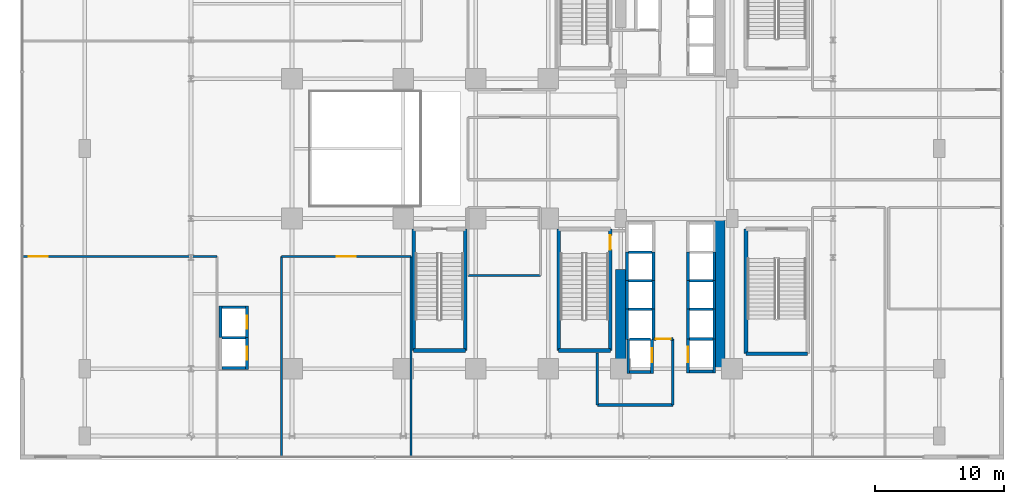
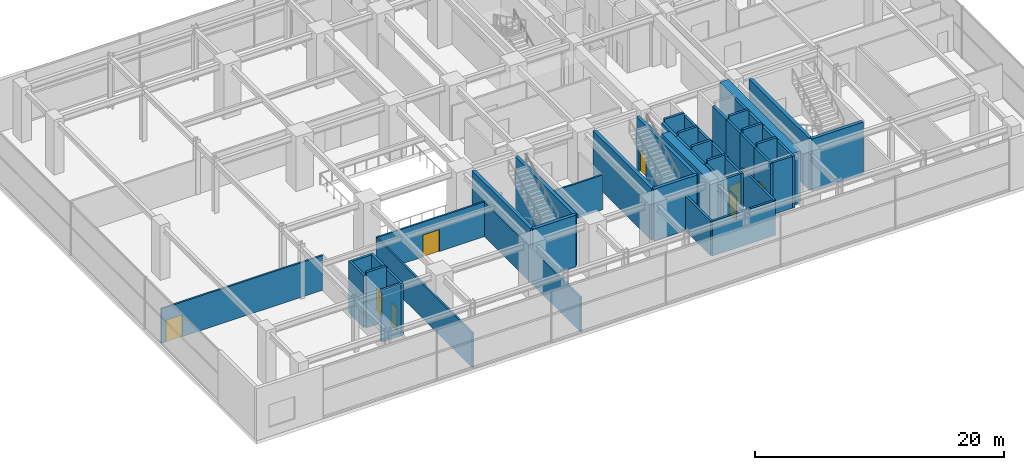
# One storey, part 27 of 32: 50 walls, 8 doors, 8 openings.
"""IFC4 building model written with IfcOpenShell, lengths in metres."""

from ifc_helpers import new_model, si_unit, direction, frame, frame_2d, origin, place, context, subcontext, project, spatial, rectangle, extrude, source, transform, mapped, material, layer, layer_set, type_object, element, fill, save


model = new_model("IFC4")

# Units and contexts
model_context = context("Model", 3, precision=1e-05, world=origin(), true_north=direction((0.0, 1.0)))
body_context = subcontext(model_context, "Body", "Model", "MODEL_VIEW")
ifc_project = project(units=[si_unit("LENGTHUNIT", "METRE"), si_unit("AREAUNIT", "SQUARE_METRE"), si_unit("VOLUMEUNIT", "CUBIC_METRE"), si_unit("PLANEANGLEUNIT", "RADIAN"), si_unit("MASSUNIT", "GRAM", prefix="KILO")], contexts=[model_context])

# Site, building, storey
site_placement = place(None, origin())
site = spatial("IfcSite", under=ifc_project, at=site_placement, CompositionType="ELEMENT")
building_placement = place(site_placement, origin())
building = spatial("IfcBuilding", under=site, at=building_placement, Name="Nahalor Promenade Grand Hotel", CompositionType="ELEMENT")
storey_placement = place(building_placement, frame((0.0, 0.0, 5.39990234375)))
storey = spatial("IfcBuildingStorey", under=building, at=storey_placement, Name="L01", CompositionType="ELEMENT", Elevation=5.39990234375)

# Walls
ifc_material_1 = material(Name="Concrete B-70 (C60/75)", Category="concrete")
ifc_layer_1 = layer(ifc_material_1, 0.800048828125)
ifc_layer_set_1 = layer_set([ifc_layer_1], Name="Concrete B-70 (C60/75)")
wall_type_1 = type_object("IfcWallType", Name="Wall-CoreShear-800", PredefinedType="SHEAR", material=ifc_layer_set_1)
shared_shape_1 = source(origin(), body_context, "Body", "SweptSolid", [
    extrude(rectangle(XDim=7.64990234375, YDim=0.800048828125, at=frame_2d((3.824951171875, 0.0))), origin(), (0.0, 0.0, 1.0), 5.080078125),
])
wall_1_placement = place(storey_placement, frame((8.39990234375, -17.0, 0.0), z_axis=(0.0, 0.0, 1.0), x_axis=(0.0, 1.0, 0.0)))
element("IfcWall", 1, at=wall_1_placement, inside=storey, type_object=wall_type_1, Name="CWALL-L01-SW", PredefinedType="SHEAR", context=body_context, shape_type="MappedRepresentation", body=[
    mapped(shared_shape_1, transform((0.0, 0.0, 0.0), scale=1.0)),
])
shared_shape_2 = source(origin(), body_context, "Body", "SweptSolid", [
    extrude(rectangle(XDim=11.60009765625, YDim=0.800048828125, at=frame_2d((5.800048828125, 0.0))), origin(), (0.0, 0.0, 1.0), 5.080078125),
])
wall_2_placement = place(storey_placement, frame((16.050048828125, -17.0, 0.0), z_axis=(0.0, 0.0, 1.0), x_axis=(0.0, 1.0, 0.0)))
element("IfcWall", 2, at=wall_2_placement, inside=storey, type_object=wall_type_1, Name="CWALL-L01-SE", PredefinedType="SHEAR", context=body_context, shape_type="MappedRepresentation", body=[
    mapped(shared_shape_2, transform((0.0, 0.0, 0.0), scale=1.0)),
])
ifc_material_2 = material(Name="Concrete B-50 (C40/50)", Category="concrete")
ifc_layer_2 = layer(ifc_material_2, 0.300048828125)
ifc_layer_set_2 = layer_set([ifc_layer_2], Name="Concrete B-50 (C40/50)")
wall_type_2 = type_object("IfcWallType", Name="Wall-ShaftShear-300", PredefinedType="SHEAR", material=ifc_layer_set_2)
shared_shape_3 = source(origin(), body_context, "Body", "SweptSolid", [
    extrude(rectangle(XDim=3.97998046875, YDim=0.300048828125, at=frame_2d((1.989990234375, 0.0))), origin(), (0.0, 0.0, 1.0), 5.080078125),
])
for number, where, z_axis, x_axis, name in (
    (3, (3.610107421875, -15.590087890625, 0.0), (0.0, 0.0, 1.0), (1.0, 0.0, 0.0), "L01 Exit Stair ST2 Shaft Wall S"),
    (4, (-7.590087890625, -15.590087890625, 0.0), (0.0, 0.0, 1.0), (1.0, 0.0, 0.0), "L01 Exit Stair ST3 Shaft Wall S"),
):
    element("IfcWall", number, at=place(storey_placement, frame(where, z_axis=z_axis, x_axis=x_axis)), inside=storey, type_object=wall_type_2, Name=name, PredefinedType="SHEAR", context=body_context, shape_type="MappedRepresentation", body=[
        mapped(shared_shape_3, transform((0.0, 0.0, 0.0), scale=1.0)),
    ])
shared_shape_4 = source(origin(), body_context, "Body", "SweptSolid", [
    extrude(rectangle(XDim=9.380126953125, YDim=0.300048828125, at=frame_2d((4.68994140625, 0.0))), origin(), (0.0, 0.0, 1.0), 5.080078125),
])
wall_3_placement = place(storey_placement, frame((3.610107421875, -15.590087890625, 0.0), z_axis=(0.0, 0.0, 1.0), x_axis=(0.0, 1.0, 0.0)))
element("IfcWall", 5, at=wall_3_placement, inside=storey, type_object=wall_type_2, Name="L01 Exit Stair ST2 Shaft Wall W", PredefinedType="SHEAR", context=body_context, shape_type="MappedRepresentation", body=[
    mapped(shared_shape_4, transform((0.0, 0.0, 0.0), scale=1.0)),
])

# Wall, opening, door
wall_4_placement = place(storey_placement, frame((7.590087890625, -15.590087890625, 0.0), z_axis=(0.0, 0.0, 1.0), x_axis=(0.0, 1.0, 0.0)))
wall_4 = element("IfcWall", 6, at=wall_4_placement, inside=storey, type_object=wall_type_2, Name="L01 Exit Stair ST2 Shaft Wall E", PredefinedType="SHEAR", context=body_context, shape_type="MappedRepresentation", body=[
    mapped(shared_shape_4, transform((0.0, 0.0, 0.0), scale=1.0)),
])
opening_1_placement = place(wall_4_placement, frame((7.7900390625, 0.0, 0.0)))
opening_1 = element("IfcOpeningElement", 7, at=opening_1_placement, cuts=wall_4, Name="Opening D-ST1", PredefinedType="OPENING", context=body_context, shape_type="SweptSolid", body=[
    extrude(rectangle(XDim=1.10009765625, YDim=2.14990234375, at=frame_2d((0.550048828125, 1.074951171875))), frame((0.0, 0.159912109375, 0.0), z_axis=(0.0, -1.0, 0.0), x_axis=(1.0, 0.0, 0.0)), (0.0, 0.0, 1.0), 0.320068359375),
])
ifc_material_3 = material(Name="Steel S355JR", Category="steel")
door_type_1 = type_object("IfcDoorType", Name="Door-StairFire-1100", OperationType="NOTDEFINED", PredefinedType="DOOR", material=ifc_material_3)
shared_shape_5 = source(origin(), body_context, "Body", "SweptSolid", [
    extrude(rectangle(XDim=1.10009765625, YDim=2.14990234375, at=frame_2d((0.550048828125, 1.074951171875))), frame((0.0, 0.02490234375, 0.0), z_axis=(0.0, -1.0, 0.0), x_axis=(1.0, 0.0, 0.0)), (0.0, 0.0, 1.0), 0.050048828125),
])
door_1_placement = place(opening_1_placement, origin())
door_1 = element("IfcDoor", 8, at=door_1_placement, inside=storey, type_object=door_type_1, Name="DR-STAIR-ST2-L01", OperationType="SINGLE_SWING_RIGHT", OverallHeight=2.14990234375, OverallWidth=1.10009765625, PredefinedType="DOOR", context=body_context, shape_type="MappedRepresentation", body=[
    mapped(shared_shape_5, transform((0.0, 0.0, 0.0), scale=1.0)),
])
fill(opening_1, door_1)

# Walls
for number, where, z_axis, x_axis, name in (
    (9, (-7.590087890625, -15.590087890625, 0.0), (0.0, 0.0, 1.0), (0.0, 1.0, 0.0), "L01 Exit Stair ST3 Shaft Wall W"),
    (10, (-3.610107421875, -15.590087890625, 0.0), (0.0, 0.0, 1.0), (0.0, 1.0, 0.0), "L01 Exit Stair ST3 Shaft Wall E"),
):
    element("IfcWall", number, at=place(storey_placement, frame(where, z_axis=z_axis, x_axis=x_axis)), inside=storey, type_object=wall_type_2, Name=name, PredefinedType="SHEAR", context=body_context, shape_type="MappedRepresentation", body=[
        mapped(shared_shape_4, transform((0.0, 0.0, 0.0), scale=1.0)),
    ])
shared_shape_6 = source(origin(), body_context, "Body", "SweptSolid", [
    extrude(rectangle(XDim=4.780029296875, YDim=0.300048828125, at=frame_2d((2.39013671875, 0.0))), origin(), (0.0, 0.0, 1.0), 5.080078125),
])
wall_5_placement = place(storey_placement, frame((18.06005859375, -15.840087890625, 0.0), z_axis=(0.0, 0.0, 1.0), x_axis=(1.0, 0.0, 0.0)))
element("IfcWall", 11, at=wall_5_placement, inside=storey, type_object=wall_type_2, Name="L01 Exit Stair ST5 Shaft Wall S", PredefinedType="SHEAR", context=body_context, shape_type="MappedRepresentation", body=[
    mapped(shared_shape_6, transform((0.0, 0.0, 0.0), scale=1.0)),
])
shared_shape_7 = source(origin(), body_context, "Body", "SweptSolid", [
    extrude(rectangle(XDim=9.630126953125, YDim=0.300048828125, at=frame_2d((4.81494140625, 0.0))), origin(), (0.0, 0.0, 1.0), 5.080078125),
])
wall_6_placement = place(storey_placement, frame((18.06005859375, -15.840087890625, 0.0), z_axis=(0.0, 0.0, 1.0), x_axis=(0.0, 1.0, 0.0)))
element("IfcWall", 12, at=wall_6_placement, inside=storey, type_object=wall_type_2, Name="L01 Exit Stair ST5 Shaft Wall W", PredefinedType="SHEAR", context=body_context, shape_type="MappedRepresentation", body=[
    mapped(shared_shape_7, transform((0.0, 0.0, 0.0), scale=1.0)),
])
ifc_layer_3 = layer(ifc_material_2, 0.219970703125)
ifc_layer_set_3 = layer_set([ifc_layer_3], Name="Concrete B-50 (C40/50)")
wall_type_3 = type_object("IfcWallType", Name="Wall-LiftShaft-220", PredefinedType="SHEAR", material=ifc_layer_set_3)
shared_shape_8 = source(origin(), body_context, "Body", "SweptSolid", [
    extrude(rectangle(XDim=1.820068359375, YDim=0.219970703125, at=frame_2d((0.91015625, 0.0))), origin(), (0.0, 0.0, 1.0), 5.080078125),
])
wall_7_placement = place(storey_placement, frame((13.68994140625, -17.199951171875, 0.0), z_axis=(0.0, 0.0, 1.0), x_axis=(1.0, 0.0, 0.0)))
element("IfcWall", 13, at=wall_7_placement, inside=storey, type_object=wall_type_3, Name="L01 Lift SV2 Hoistway Wall S", PredefinedType="SHEAR", context=body_context, shape_type="MappedRepresentation", body=[
    mapped(shared_shape_8, transform((0.0, 0.0, 0.0), scale=1.0)),
])
shared_shape_9 = source(origin(), body_context, "Body", "SweptSolid", [
    extrude(rectangle(XDim=1.820068359375, YDim=0.219970703125, at=frame_2d((0.91015625, 0.0))), origin(), (0.0, 0.0, 1.0), 5.400146484375),
])
for number, where, z_axis, x_axis, name in (
    (14, (13.68994140625, -10.199951171875, 0.0), (0.0, 0.0, 1.0), (1.0, 0.0, 0.0), "L01 Lift PL7 Hoistway Wall N"),
    (15, (13.68994140625, -12.39990234375, 0.0), (0.0, 0.0, 1.0), (1.0, 0.0, 0.0), "L01 Lift PL8 Hoistway Wall N"),
    (16, (8.989990234375, -8.0, 0.0), (0.0, 0.0, 1.0), (1.0, 0.0, 0.0), "L01 Lift PL10 Hoistway Wall N"),
    (17, (8.989990234375, -10.199951171875, 0.0), (0.0, 0.0, 1.0), (1.0, 0.0, 0.0), "L01 Lift PL11 Hoistway Wall N"),
    (18, (8.989990234375, -12.39990234375, 0.0), (0.0, 0.0, 1.0), (1.0, 0.0, 0.0), "L01 Lift PL12 Hoistway Wall N"),
    (19, (13.68994140625, -14.699951171875, 0.0), (0.0, 0.0, 1.0), (1.0, 0.0, 0.0), "L01 Lift SV2 Hoistway Wall N"),
):
    element("IfcWall", number, at=place(storey_placement, frame(where, z_axis=z_axis, x_axis=x_axis)), inside=storey, type_object=wall_type_3, Name=name, PredefinedType="SHEAR", context=body_context, shape_type="MappedRepresentation", body=[
        mapped(shared_shape_9, transform((0.0, 0.0, 0.0), scale=1.0)),
    ])
shared_shape_10 = source(origin(), body_context, "Body", "SweptSolid", [
    extrude(rectangle(XDim=2.199951171875, YDim=0.219970703125, at=frame_2d((1.10009765625, 0.0))), origin(), (0.0, 0.0, 1.0), 5.080078125),
])
for number, where, z_axis, x_axis, name in (
    (20, (13.580078125, -10.199951171875, 0.0), (0.0, 0.0, 1.0), (0.0, 1.0, 0.0), "L01 Lift PL6 Hoistway Wall W"),
    (21, (15.6201171875, -10.199951171875, 0.0), (0.0, 0.0, 1.0), (0.0, 1.0, 0.0), "L01 Lift PL6 Hoistway Wall E"),
    (22, (13.580078125, -12.39990234375, 0.0), (0.0, 0.0, 1.0), (0.0, 1.0, 0.0), "L01 Lift PL7 Hoistway Wall W"),
    (23, (15.6201171875, -12.39990234375, 0.0), (0.0, 0.0, 1.0), (0.0, 1.0, 0.0), "L01 Lift PL7 Hoistway Wall E"),
    (24, (8.8798828125, -10.199951171875, 0.0), (0.0, 0.0, 1.0), (0.0, 1.0, 0.0), "L01 Lift PL10 Hoistway Wall W"),
    (25, (10.919921875, -10.199951171875, 0.0), (0.0, 0.0, 1.0), (0.0, 1.0, 0.0), "L01 Lift PL10 Hoistway Wall E"),
    (26, (8.8798828125, -12.39990234375, 0.0), (0.0, 0.0, 1.0), (0.0, 1.0, 0.0), "L01 Lift PL11 Hoistway Wall W"),
    (27, (10.919921875, -12.39990234375, 0.0), (0.0, 0.0, 1.0), (0.0, 1.0, 0.0), "L01 Lift PL11 Hoistway Wall E"),
):
    element("IfcWall", number, at=place(storey_placement, frame(where, z_axis=z_axis, x_axis=x_axis)), inside=storey, type_object=wall_type_3, Name=name, PredefinedType="SHEAR", context=body_context, shape_type="MappedRepresentation", body=[
        mapped(shared_shape_10, transform((0.0, 0.0, 0.0), scale=1.0)),
    ])
shared_shape_11 = source(origin(), body_context, "Body", "SweptSolid", [
    extrude(rectangle(XDim=2.300048828125, YDim=0.219970703125, at=frame_2d((1.14990234375, 0.0))), origin(), (0.0, 0.0, 1.0), 5.080078125),
])
for number, where, z_axis, x_axis, name in (
    (28, (13.580078125, -14.699951171875, 0.0), (0.0, 0.0, 1.0), (0.0, 1.0, 0.0), "L01 Lift PL8 Hoistway Wall W"),
    (29, (15.6201171875, -14.699951171875, 0.0), (0.0, 0.0, 1.0), (0.0, 1.0, 0.0), "L01 Lift PL8 Hoistway Wall E"),
):
    element("IfcWall", number, at=place(storey_placement, frame(where, z_axis=z_axis, x_axis=x_axis)), inside=storey, type_object=wall_type_3, Name=name, PredefinedType="SHEAR", context=body_context, shape_type="MappedRepresentation", body=[
        mapped(shared_shape_11, transform((0.0, 0.0, 0.0), scale=1.0)),
    ])
shared_shape_12 = source(origin(), body_context, "Body", "SweptSolid", [
    extrude(rectangle(XDim=2.3251953125, YDim=0.219970703125, at=frame_2d((1.16259765625, 0.0))), origin(), (0.0, 0.0, 1.0), 5.080078125),
])
for number, where, z_axis, x_axis, name in (
    (30, (8.8798828125, -14.72509765625, 0.0), (0.0, 0.0, 1.0), (0.0, 1.0, 0.0), "L01 Lift PL12 Hoistway Wall W"),
    (31, (10.919921875, -14.72509765625, 0.0), (0.0, 0.0, 1.0), (0.0, 1.0, 0.0), "L01 Lift PL12 Hoistway Wall E"),
):
    element("IfcWall", number, at=place(storey_placement, frame(where, z_axis=z_axis, x_axis=x_axis)), inside=storey, type_object=wall_type_3, Name=name, PredefinedType="SHEAR", context=body_context, shape_type="MappedRepresentation", body=[
        mapped(shared_shape_12, transform((0.0, 0.0, 0.0), scale=1.0)),
    ])
shared_shape_13 = source(origin(), body_context, "Body", "SweptSolid", [
    extrude(rectangle(XDim=1.619873046875, YDim=0.219970703125, at=frame_2d((0.81005859375, 0.0))), origin(), (0.0, 0.0, 1.0), 5.400146484375),
])
wall_8_placement = place(storey_placement, frame((9.090087890625, -14.72509765625, 0.0), z_axis=(0.0, 0.0, 1.0), x_axis=(1.0, 0.0, 0.0)))
element("IfcWall", 32, at=wall_8_placement, inside=storey, type_object=wall_type_3, Name="L01 Lift FL2 Hoistway Wall N", PredefinedType="SHEAR", context=body_context, shape_type="MappedRepresentation", body=[
    mapped(shared_shape_13, transform((0.0, 0.0, 0.0), scale=1.0)),
])
shared_shape_14 = source(origin(), body_context, "Body", "SweptSolid", [
    extrude(rectangle(XDim=2.635009765625, YDim=0.219970703125, at=frame_2d((1.3173828125, 0.0))), origin(), (0.0, 0.0, 1.0), 5.080078125),
])
wall_9_placement = place(storey_placement, frame((8.97998046875, -17.360107421875, 0.0), z_axis=(0.0, 0.0, 1.0), x_axis=(0.0, 1.0, 0.0)))
element("IfcWall", 33, at=wall_9_placement, inside=storey, type_object=wall_type_3, Name="L01 Lift FL2 Hoistway Wall W", PredefinedType="SHEAR", context=body_context, shape_type="MappedRepresentation", body=[
    mapped(shared_shape_14, transform((0.0, 0.0, 0.0), scale=1.0)),
])

# Wall, opening, door
wall_10_placement = place(storey_placement, frame((10.820068359375, -17.360107421875, 0.0), z_axis=(0.0, 0.0, 1.0), x_axis=(0.0, 1.0, 0.0)))
wall_10 = element("IfcWall", 34, at=wall_10_placement, inside=storey, type_object=wall_type_3, Name="L01 Lift FL2 Hoistway Wall E", PredefinedType="SHEAR", context=body_context, shape_type="MappedRepresentation", body=[
    mapped(shared_shape_14, transform((0.0, 0.0, 0.0), scale=1.0)),
])
opening_2_placement = place(wall_10_placement, frame((0.860107421875, 0.0, 0.0)))
opening_2 = element("IfcOpeningElement", 35, at=opening_2_placement, cuts=wall_10, Name="Opening LD-02", PredefinedType="OPENING", context=body_context, shape_type="SweptSolid", body=[
    extrude(rectangle(XDim=1.10009765625, YDim=2.199951171875, at=frame_2d((0.550048828125, 1.10009765625))), frame((0.0, 0.119873046875, 0.0), z_axis=(0.0, -1.0, 0.0), x_axis=(1.0, 0.0, 0.0)), (0.0, 0.0, 1.0), 0.239990234375),
])
door_type_2 = type_object("IfcDoorType", Name="Door-LiftFF-1100", OperationType="DOUBLE_DOOR_SLIDING", PredefinedType="DOOR", material=ifc_material_3)
shared_shape_15 = source(origin(), body_context, "Body", "SweptSolid", [
    extrude(rectangle(XDim=1.10009765625, YDim=2.199951171875, at=frame_2d((0.550048828125, 1.10009765625))), frame((0.0, 0.02490234375, 0.0), z_axis=(0.0, -1.0, 0.0), x_axis=(1.0, 0.0, 0.0)), (0.0, 0.0, 1.0), 0.050048828125),
])
door_2_placement = place(opening_2_placement, frame((1.10009765625, 0.0, 0.0), z_axis=(0.0, 0.0, 1.0), x_axis=(-1.0, 0.0, 0.0)))
door_2 = element("IfcDoor", 36, at=door_2_placement, inside=storey, type_object=door_type_2, Name="DR-LIFT-FL2-L01", OperationType="DOUBLE_DOOR_SLIDING", OverallHeight=2.199951171875, OverallWidth=1.10009765625, PredefinedType="DOOR", context=body_context, shape_type="MappedRepresentation", body=[
    mapped(shared_shape_15, transform((0.0, 0.0, 0.0), scale=1.0)),
])
fill(opening_2, door_2)

# Wall
shared_shape_16 = source(origin(), body_context, "Body", "SweptSolid", [
    extrude(rectangle(XDim=1.619873046875, YDim=0.219970703125, at=frame_2d((0.81005859375, 0.0))), origin(), (0.0, 0.0, 1.0), 5.080078125),
])
wall_11_placement = place(storey_placement, frame((9.090087890625, -17.25, 0.0), z_axis=(0.0, 0.0, 1.0), x_axis=(1.0, 0.0, 0.0)))
element("IfcWall", 37, at=wall_11_placement, inside=storey, type_object=wall_type_3, Name="L01 Lift FL2 Hoistway Wall S", PredefinedType="SHEAR", context=body_context, shape_type="MappedRepresentation", body=[
    mapped(shared_shape_16, transform((0.0, 0.0, 0.0), scale=1.0)),
])

# Wall, opening, door
shared_shape_17 = source(origin(), body_context, "Body", "SweptSolid", [
    extrude(rectangle(XDim=2.610107421875, YDim=0.219970703125, at=frame_2d((1.30517578125, 0.0))), origin(), (0.0, 0.0, 1.0), 5.080078125),
])
wall_12_placement = place(storey_placement, frame((13.580078125, -17.31005859375, 0.0), z_axis=(0.0, 0.0, 1.0), x_axis=(0.0, 1.0, 0.0)))
wall_12 = element("IfcWall", 38, at=wall_12_placement, inside=storey, type_object=wall_type_3, Name="L01 Lift SV2 Hoistway Wall W", PredefinedType="SHEAR", context=body_context, shape_type="MappedRepresentation", body=[
    mapped(shared_shape_17, transform((0.0, 0.0, 0.0), scale=1.0)),
])
opening_3_placement = place(wall_12_placement, frame((0.81005859375, 0.0, 0.0)))
opening_3 = element("IfcOpeningElement", 39, at=opening_3_placement, cuts=wall_12, Name="Opening LD-03", PredefinedType="OPENING", context=body_context, shape_type="SweptSolid", body=[
    extrude(rectangle(XDim=1.199951171875, YDim=2.199951171875, at=frame_2d((0.60009765625, 1.10009765625))), frame((0.0, 0.119873046875, 0.0), z_axis=(0.0, -1.0, 0.0), x_axis=(1.0, 0.0, 0.0)), (0.0, 0.0, 1.0), 0.239990234375),
])
door_type_3 = type_object("IfcDoorType", Name="Door-LiftService-1200", OperationType="DOUBLE_DOOR_SLIDING", PredefinedType="DOOR", material=ifc_material_3)
shared_shape_18 = source(origin(), body_context, "Body", "SweptSolid", [
    extrude(rectangle(XDim=1.199951171875, YDim=2.199951171875, at=frame_2d((0.60009765625, 1.10009765625))), frame((0.0, 0.02490234375, 0.0), z_axis=(0.0, -1.0, 0.0), x_axis=(1.0, 0.0, 0.0)), (0.0, 0.0, 1.0), 0.050048828125),
])
door_3_placement = place(opening_3_placement, origin())
door_3 = element("IfcDoor", 40, at=door_3_placement, inside=storey, type_object=door_type_3, Name="DR-LIFT-SV2-L01", OperationType="DOUBLE_DOOR_SLIDING", OverallHeight=2.199951171875, OverallWidth=1.199951171875, PredefinedType="DOOR", context=body_context, shape_type="MappedRepresentation", body=[
    mapped(shared_shape_18, transform((0.0, 0.0, 0.0), scale=1.0)),
])
fill(opening_3, door_3)

# Walls
wall_13_placement = place(storey_placement, frame((15.6201171875, -17.31005859375, 0.0), z_axis=(0.0, 0.0, 1.0), x_axis=(0.0, 1.0, 0.0)))
element("IfcWall", 41, at=wall_13_placement, inside=storey, type_object=wall_type_3, Name="L01 Lift SV2 Hoistway Wall E", PredefinedType="SHEAR", context=body_context, shape_type="MappedRepresentation", body=[
    mapped(shared_shape_17, transform((0.0, 0.0, 0.0), scale=1.0)),
])
shared_shape_19 = source(origin(), body_context, "Body", "SweptSolid", [
    extrude(rectangle(XDim=1.81982421875, YDim=0.219970703125, at=frame_2d((0.909912109375, 0.0))), origin(), (0.0, 0.0, 1.0), 5.400146484375),
])
wall_14_placement = place(storey_placement, frame((-22.409912109375, -14.60009765625, 0.0), z_axis=(0.0, 0.0, 1.0), x_axis=(1.0, 0.0, 0.0)))
element("IfcWall", 42, at=wall_14_placement, inside=storey, type_object=wall_type_3, Name="L01 Lift PD1 Hoistway Wall N", PredefinedType="SHEAR", context=body_context, shape_type="MappedRepresentation", body=[
    mapped(shared_shape_19, transform((0.0, 0.0, 0.0), scale=1.0)),
])

# Wall, opening, door
shared_shape_20 = source(origin(), body_context, "Body", "SweptSolid", [
    extrude(rectangle(XDim=2.4599609375, YDim=0.219970703125, at=frame_2d((1.22998046875, 0.0))), origin(), (0.0, 0.0, 1.0), 5.080078125),
])
wall_15_placement = place(storey_placement, frame((-20.47998046875, -17.06005859375, 0.0), z_axis=(0.0, 0.0, 1.0), x_axis=(0.0, 1.0, 0.0)))
wall_15 = element("IfcWall", 43, at=wall_15_placement, inside=storey, type_object=wall_type_3, Name="L01 Lift PD1 Hoistway Wall E", PredefinedType="SHEAR", context=body_context, shape_type="MappedRepresentation", body=[
    mapped(shared_shape_20, transform((0.0, 0.0, 0.0), scale=1.0)),
])
opening_4_placement = place(wall_15_placement, frame((0.760009765625, 0.0, 0.0)))
opening_4 = element("IfcOpeningElement", 44, at=opening_4_placement, cuts=wall_15, Name="Opening LD-01", PredefinedType="OPENING", context=body_context, shape_type="SweptSolid", body=[
    extrude(rectangle(XDim=1.0, YDim=2.199951171875, at=frame_2d((0.5, 1.10009765625))), frame((0.0, 0.119873046875, 0.0), z_axis=(0.0, -1.0, 0.0), x_axis=(1.0, 0.0, 0.0)), (0.0, 0.0, 1.0), 0.239990234375),
])
door_type_4 = type_object("IfcDoorType", Name="Door-LiftLanding-1000", OperationType="DOUBLE_DOOR_SLIDING", PredefinedType="DOOR", material=ifc_material_3)
shared_shape_21 = source(origin(), body_context, "Body", "SweptSolid", [
    extrude(rectangle(XDim=1.0, YDim=2.199951171875, at=frame_2d((0.5, 1.10009765625))), frame((0.0, 0.02490234375, 0.0), z_axis=(0.0, -1.0, 0.0), x_axis=(1.0, 0.0, 0.0)), (0.0, 0.0, 1.0), 0.050048828125),
])
door_4_placement = place(opening_4_placement, frame((1.0, 0.0, 0.0), z_axis=(0.0, 0.0, 1.0), x_axis=(-1.0, 0.0, 0.0)))
door_4 = element("IfcDoor", 45, at=door_4_placement, inside=storey, type_object=door_type_4, Name="DR-LIFT-PD1-L01", OperationType="DOUBLE_DOOR_SLIDING", OverallHeight=2.199951171875, OverallWidth=1.0, PredefinedType="DOOR", context=body_context, shape_type="MappedRepresentation", body=[
    mapped(shared_shape_21, transform((0.0, 0.0, 0.0), scale=1.0)),
])
fill(opening_4, door_4)

# Walls
shared_shape_22 = source(origin(), body_context, "Body", "SweptSolid", [
    extrude(rectangle(XDim=1.81982421875, YDim=0.219970703125, at=frame_2d((0.909912109375, 0.0))), origin(), (0.0, 0.0, 1.0), 5.080078125),
])
for number, where, z_axis, x_axis, name in (
    (46, (-22.409912109375, -16.949951171875, 0.0), (0.0, 0.0, 1.0), (1.0, 0.0, 0.0), "L01 Lift PD1 Hoistway Wall S"),
    (47, (-22.409912109375, -12.25, 0.0), (0.0, 0.0, 1.0), (1.0, 0.0, 0.0), "L01 Lift PD2 Hoistway Wall N"),
):
    element("IfcWall", number, at=place(storey_placement, frame(where, z_axis=z_axis, x_axis=x_axis)), inside=storey, type_object=wall_type_3, Name=name, PredefinedType="SHEAR", context=body_context, shape_type="MappedRepresentation", body=[
        mapped(shared_shape_22, transform((0.0, 0.0, 0.0), scale=1.0)),
    ])
shared_shape_23 = source(origin(), body_context, "Body", "SweptSolid", [
    extrude(rectangle(XDim=2.460205078125, YDim=0.219970703125, at=frame_2d((1.22998046875, 0.0))), origin(), (0.0, 0.0, 1.0), 5.080078125),
])
wall_16_placement = place(storey_placement, frame((-22.52001953125, -14.60009765625, 0.0), z_axis=(0.0, 0.0, 1.0), x_axis=(0.0, 1.0, 0.0)))
element("IfcWall", 48, at=wall_16_placement, inside=storey, type_object=wall_type_3, Name="L01 Lift PD2 Hoistway Wall W", PredefinedType="SHEAR", context=body_context, shape_type="MappedRepresentation", body=[
    mapped(shared_shape_23, transform((0.0, 0.0, 0.0), scale=1.0)),
])

# Wall, opening, door
wall_17_placement = place(storey_placement, frame((-20.47998046875, -14.60009765625, 0.0), z_axis=(0.0, 0.0, 1.0), x_axis=(0.0, 1.0, 0.0)))
wall_17 = element("IfcWall", 49, at=wall_17_placement, inside=storey, type_object=wall_type_3, Name="L01 Lift PD2 Hoistway Wall E", PredefinedType="SHEAR", context=body_context, shape_type="MappedRepresentation", body=[
    mapped(shared_shape_23, transform((0.0, 0.0, 0.0), scale=1.0)),
])
opening_5_placement = place(wall_17_placement, frame((0.699951171875, 0.0, 0.0)))
opening_5 = element("IfcOpeningElement", 50, at=opening_5_placement, cuts=wall_17, Name="Opening LD-01", PredefinedType="OPENING", context=body_context, shape_type="SweptSolid", body=[
    extrude(rectangle(XDim=1.0, YDim=2.199951171875, at=frame_2d((0.5, 1.10009765625))), frame((0.0, 0.119873046875, 0.0), z_axis=(0.0, -1.0, 0.0), x_axis=(1.0, 0.0, 0.0)), (0.0, 0.0, 1.0), 0.239990234375),
])
door_5_placement = place(opening_5_placement, frame((1.0, 0.0, 0.0), z_axis=(0.0, 0.0, 1.0), x_axis=(-1.0, 0.0, 0.0)))
door_5 = element("IfcDoor", 51, at=door_5_placement, inside=storey, type_object=door_type_4, Name="DR-LIFT-PD2-L01", OperationType="DOUBLE_DOOR_SLIDING", OverallHeight=2.199951171875, OverallWidth=1.0, PredefinedType="DOOR", context=body_context, shape_type="MappedRepresentation", body=[
    mapped(shared_shape_21, transform((0.0, 0.0, 0.0), scale=1.0)),
])
fill(opening_5, door_5)

# Walls
ifc_material_4 = material(Name="Concrete B-40 (C32/40)", Category="concrete")
ifc_layer_4 = layer(ifc_material_4, 0.199951171875)
ifc_layer_set_4 = layer_set([ifc_layer_4], Name="Concrete B-40 (C32/40)")
wall_type_4 = type_object("IfcWallType", Name="Wall-PartFire-200", PredefinedType="PARTITIONING", material=ifc_layer_set_4)
shared_shape_24 = source(origin(), body_context, "Body", "SweptSolid", [
    extrude(rectangle(XDim=5.81982421875, YDim=0.199951171875, at=frame_2d((2.909912109375, 0.0))), origin(), (0.0, 0.0, 1.0), 3.400146484375),
])
wall_18_placement = place(storey_placement, frame((6.60009765625, -19.800048828125, 0.0), z_axis=(0.0, 0.0, 1.0), x_axis=(1.0, 0.0, 0.0)))
element("IfcWall", 52, at=wall_18_placement, inside=storey, type_object=wall_type_4, Name="W-L01-FF2-S1", PredefinedType="PARTITIONING", context=body_context, shape_type="MappedRepresentation", body=[
    mapped(shared_shape_24, transform((0.0, 0.0, 0.0), scale=1.0)),
])
shared_shape_25 = source(origin(), body_context, "Body", "SweptSolid", [
    extrude(rectangle(XDim=4.030029296875, YDim=0.199951171875, at=frame_2d((2.01513671875, 0.0))), origin(), (0.0, 0.0, 1.0), 3.400146484375),
])
wall_19_placement = place(storey_placement, frame((6.60009765625, -19.800048828125, 0.0), z_axis=(0.0, 0.0, 1.0), x_axis=(0.0, 1.0, 0.0)))
element("IfcWall", 53, at=wall_19_placement, inside=storey, type_object=wall_type_4, Name="W-L01-FF2-W1", PredefinedType="PARTITIONING", context=body_context, shape_type="MappedRepresentation", body=[
    mapped(shared_shape_25, transform((0.0, 0.0, 0.0), scale=1.0)),
])
shared_shape_26 = source(origin(), body_context, "Body", "SweptSolid", [
    extrude(rectangle(XDim=5.10009765625, YDim=0.199951171875, at=frame_2d((2.550048828125, 0.0))), origin(), (0.0, 0.0, 1.0), 3.400146484375),
])
wall_20_placement = place(storey_placement, frame((12.419921875, -19.800048828125, 0.0), z_axis=(0.0, 0.0, 1.0), x_axis=(0.0, 1.0, 0.0)))
element("IfcWall", 54, at=wall_20_placement, inside=storey, type_object=wall_type_4, Name="W-L01-FF2-E", PredefinedType="PARTITIONING", context=body_context, shape_type="MappedRepresentation", body=[
    mapped(shared_shape_26, transform((0.0, 0.0, 0.0), scale=1.0)),
])

# Wall, opening, door
shared_shape_27 = source(origin(), body_context, "Body", "SweptSolid", [
    extrude(rectangle(XDim=1.4599609375, YDim=0.199951171875, at=frame_2d((0.72998046875, 0.0))), origin(), (0.0, 0.0, 1.0), 3.400146484375),
])
wall_21_placement = place(storey_placement, frame((10.9599609375, -14.699951171875, 0.0), z_axis=(0.0, 0.0, 1.0), x_axis=(1.0, 0.0, 0.0)))
wall_21 = element("IfcWall", 55, at=wall_21_placement, inside=storey, type_object=wall_type_4, Name="W-L01-FF2-N1", PredefinedType="PARTITIONING", context=body_context, shape_type="MappedRepresentation", body=[
    mapped(shared_shape_27, transform((0.0, 0.0, 0.0), scale=1.0)),
])
opening_6_placement = place(wall_21_placement, frame((0.14501953125, 0.0, 0.0)))
opening_6 = element("IfcOpeningElement", 56, at=opening_6_placement, cuts=wall_21, Name="Opening D-FF1", PredefinedType="OPENING", context=body_context, shape_type="SweptSolid", body=[
    extrude(rectangle(XDim=1.14990234375, YDim=2.14990234375, at=frame_2d((0.574951171875, 1.074951171875))), frame((0.0, 0.10986328125, 0.0), z_axis=(0.0, -1.0, 0.0), x_axis=(1.0, 0.0, 0.0)), (0.0, 0.0, 1.0), 0.219970703125),
])
door_type_5 = type_object("IfcDoorType", Name="Door-FFLobby-1150", OperationType="NOTDEFINED", PredefinedType="DOOR", material=ifc_material_3)
shared_shape_28 = source(origin(), body_context, "Body", "SweptSolid", [
    extrude(rectangle(XDim=1.14990234375, YDim=2.14990234375, at=frame_2d((0.574951171875, 1.074951171875))), frame((0.0, 0.02490234375, 0.0), z_axis=(0.0, -1.0, 0.0), x_axis=(1.0, 0.0, 0.0)), (0.0, 0.0, 1.0), 0.050048828125),
])
door_6_placement = place(opening_6_placement, origin())
door_6 = element("IfcDoor", 57, at=door_6_placement, inside=storey, type_object=door_type_5, Name="DR-L01-FFL2", OperationType="SINGLE_SWING_RIGHT", OverallHeight=2.14990234375, OverallWidth=1.14990234375, PredefinedType="DOOR", context=body_context, shape_type="MappedRepresentation", body=[
    mapped(shared_shape_28, transform((0.0, 0.0, 0.0), scale=1.0)),
])
fill(opening_6, door_6)

# Walls
ifc_material_5 = material(Name="Acoustic Mineral Gypsum", Category="gypsum")
ifc_layer_5 = layer(ifc_material_5, 0.159912109375)
ifc_layer_set_5 = layer_set([ifc_layer_5], Name="Acoustic Mineral Gypsum")
wall_type_5 = type_object("IfcWallType", Name="Wall-PartCorridor-160", PredefinedType="PARTITIONING", material=ifc_layer_set_5)
shared_shape_29 = source(origin(), body_context, "Body", "SweptSolid", [
    extrude(rectangle(XDim=15.43994140625, YDim=0.159912109375, at=frame_2d((7.719970703125, 0.0))), origin(), (0.0, 0.0, 1.0), 3.400146484375),
])
for number, where, z_axis, x_axis, name in (
    (58, (-17.800048828125, -23.760009765625, 0.0), (0.0, 0.0, 1.0), (0.0, 1.0, 0.0), "W-L01-PR05-W"),
    (59, (-7.800048828125, -23.760009765625, 0.0), (0.0, 0.0, 1.0), (0.0, 1.0, 0.0), "W-L01-PR05-E"),
):
    element("IfcWall", number, at=place(storey_placement, frame(where, z_axis=z_axis, x_axis=x_axis)), inside=storey, type_object=wall_type_5, Name=name, PredefinedType="PARTITIONING", context=body_context, shape_type="MappedRepresentation", body=[
        mapped(shared_shape_29, transform((0.0, 0.0, 0.0), scale=1.0)),
    ])

# Wall, opening, door
shared_shape_30 = source(origin(), body_context, "Body", "SweptSolid", [
    extrude(rectangle(XDim=14.9599609375, YDim=0.159912109375, at=frame_2d((7.47998046875, 0.0))), origin(), (0.0, 0.0, 1.0), 3.400146484375),
])
wall_22_placement = place(storey_placement, frame((-37.760009765625, -8.320068359375, 0.0), z_axis=(0.0, 0.0, 1.0), x_axis=(1.0, 0.0, 0.0)))
wall_22 = element("IfcWall", 60, at=wall_22_placement, inside=storey, type_object=wall_type_5, Name="W-L01-PR04-N", PredefinedType="PARTITIONING", context=body_context, shape_type="MappedRepresentation", body=[
    mapped(shared_shape_30, transform((0.0, 0.0, 0.0), scale=1.0)),
])
opening_7_placement = place(wall_22_placement, frame((0.4169921875, 0.0, 0.0)))
opening_7 = element("IfcOpeningElement", 61, at=opening_7_placement, cuts=wall_22, Name="Opening D-02", PredefinedType="OPENING", context=body_context, shape_type="SweptSolid", body=[
    extrude(rectangle(XDim=1.5, YDim=2.14990234375, at=frame_2d((0.75, 1.074951171875))), frame((0.0, 0.08984375, 0.0), z_axis=(0.0, -1.0, 0.0), x_axis=(1.0, 0.0, 0.0)), (0.0, 0.0, 1.0), 0.179931640625),
])
ifc_material_6 = material(Name="Fire-Rated Timber Composite", Category="wood")
door_type_6 = type_object("IfcDoorType", Name="Door-SuiteDouble-1500", OperationType="DOUBLE_DOOR_SINGLE_SWING", PredefinedType="DOOR", material=ifc_material_6)
shared_shape_31 = source(origin(), body_context, "Body", "SweptSolid", [
    extrude(rectangle(XDim=1.5, YDim=2.14990234375, at=frame_2d((0.75, 1.074951171875))), frame((0.0, 0.02490234375, 0.0), z_axis=(0.0, -1.0, 0.0), x_axis=(1.0, 0.0, 0.0)), (0.0, 0.0, 1.0), 0.050048828125),
])
door_7_placement = place(opening_7_placement, frame((1.5, 0.0, 0.0), z_axis=(0.0, 0.0, 1.0), x_axis=(-1.0, 0.0, 0.0)))
door_7 = element("IfcDoor", 62, at=door_7_placement, inside=storey, type_object=door_type_6, Name="DR-L01-PR04", OperationType="DOUBLE_DOOR_SINGLE_SWING", OverallHeight=2.14990234375, OverallWidth=1.5, PredefinedType="DOOR", context=body_context, shape_type="MappedRepresentation", body=[
    mapped(shared_shape_31, transform((0.0, 0.0, 0.0), scale=1.0)),
])
fill(opening_7, door_7)

shared_shape_32 = source(origin(), body_context, "Body", "SweptSolid", [
    extrude(rectangle(XDim=10.0, YDim=0.159912109375, at=frame_2d((5.0, 0.0))), origin(), (0.0, 0.0, 1.0), 3.400146484375),
])
wall_23_placement = place(storey_placement, frame((-17.800048828125, -8.320068359375, 0.0), z_axis=(0.0, 0.0, 1.0), x_axis=(1.0, 0.0, 0.0)))
wall_23 = element("IfcWall", 63, at=wall_23_placement, inside=storey, type_object=wall_type_5, Name="W-L01-PR05-N", PredefinedType="PARTITIONING", context=body_context, shape_type="MappedRepresentation", body=[
    mapped(shared_shape_32, transform((0.0, 0.0, 0.0), scale=1.0)),
])
opening_8_placement = place(wall_23_placement, frame((4.25, 0.0, 0.0)))
opening_8 = element("IfcOpeningElement", 64, at=opening_8_placement, cuts=wall_23, Name="Opening D-02", PredefinedType="OPENING", context=body_context, shape_type="SweptSolid", body=[
    extrude(rectangle(XDim=1.5, YDim=2.14990234375, at=frame_2d((0.75, 1.074951171875))), frame((0.0, 0.08984375, 0.0), z_axis=(0.0, -1.0, 0.0), x_axis=(1.0, 0.0, 0.0)), (0.0, 0.0, 1.0), 0.179931640625),
])
door_8_placement = place(opening_8_placement, frame((1.5, 0.0, 0.0), z_axis=(0.0, 0.0, 1.0), x_axis=(-1.0, 0.0, 0.0)))
door_8 = element("IfcDoor", 65, at=door_8_placement, inside=storey, type_object=door_type_6, Name="DR-L01-PR05", OperationType="DOUBLE_DOOR_SINGLE_SWING", OverallHeight=2.14990234375, OverallWidth=1.5, PredefinedType="DOOR", context=body_context, shape_type="MappedRepresentation", body=[
    mapped(shared_shape_31, transform((0.0, 0.0, 0.0), scale=1.0)),
])
fill(opening_8, door_8)

# Wall
shared_shape_33 = source(origin(), body_context, "Body", "SweptSolid", [
    extrude(rectangle(XDim=5.599853515625, YDim=0.159912109375, at=frame_2d((2.7998046875, 0.0))), origin(), (0.0, 0.0, 1.0), 3.400146484375),
])
wall_24_placement = place(storey_placement, frame((-3.39990234375, -9.800048828125, 0.0), z_axis=(0.0, 0.0, 1.0), x_axis=(1.0, 0.0, 0.0)))
element("IfcWall", 66, at=wall_24_placement, inside=storey, type_object=wall_type_5, Name="W-L01-PR10-S", PredefinedType="PARTITIONING", context=body_context, shape_type="MappedRepresentation", body=[
    mapped(shared_shape_33, transform((0.0, 0.0, 0.0), scale=1.0)),
])

save(model, "model.ifc")
